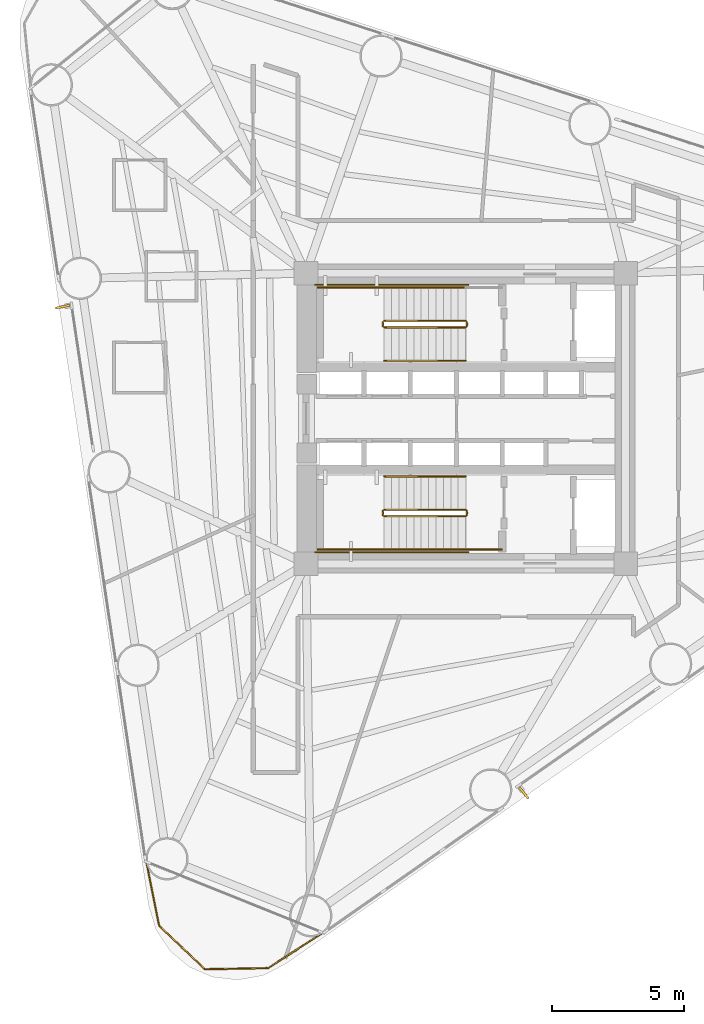
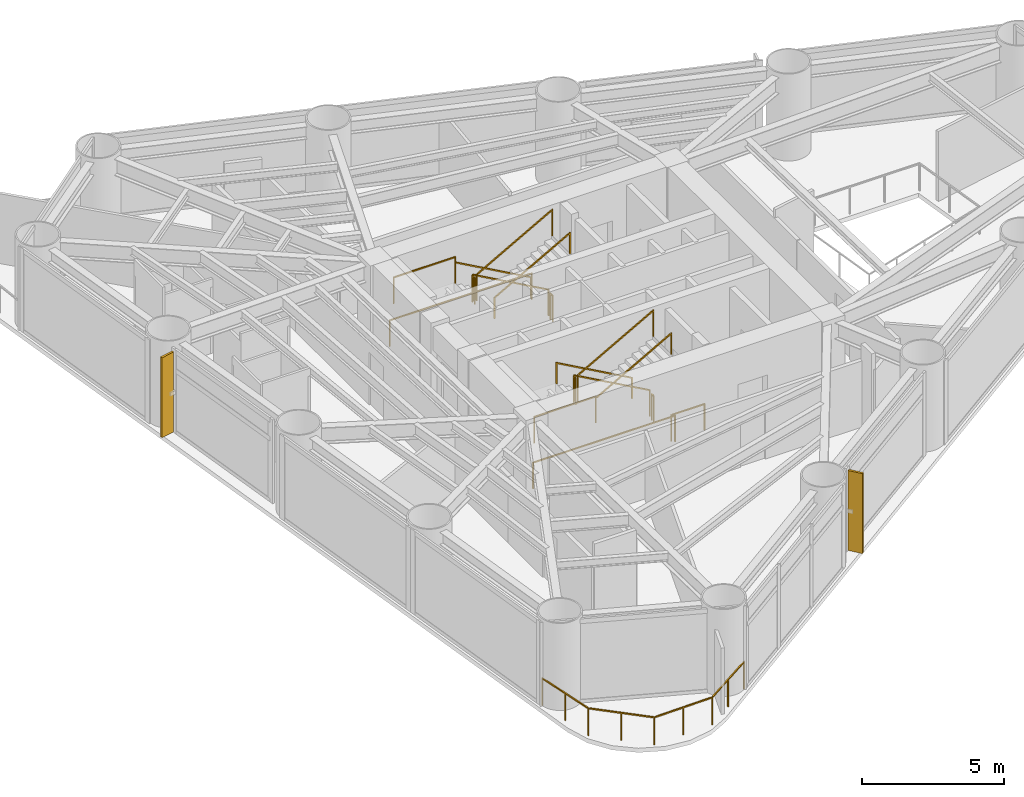
# One storey, part 8 of 9: 18 railings, 2 shading devices.
"""IFC4 building model written with IfcOpenShell, lengths in metres."""

from ifc_helpers import new_model, si_unit, direction, frame, origin, origin_2d, place, context, subcontext, project, spatial, rectangle, extrude, source, transform, mapped, material, material_profile, profile_set, type_object, element, save


model = new_model("IFC4")

# Units and contexts
model_context = context("Model", 3, precision=1e-05, world=origin(), true_north=direction((0.0, 1.0)))
body_context = subcontext(model_context, "Body", "Model", "MODEL_VIEW")
ifc_project = project(units=[si_unit("LENGTHUNIT", "METRE"), si_unit("AREAUNIT", "SQUARE_METRE"), si_unit("VOLUMEUNIT", "CUBIC_METRE"), si_unit("PLANEANGLEUNIT", "RADIAN"), si_unit("MASSUNIT", "GRAM", prefix="KILO")], contexts=[model_context])

# Site, building, storey
site_placement = place(None, origin())
site = spatial("IfcSite", under=ifc_project, at=site_placement, CompositionType="ELEMENT")
building_placement = place(site_placement, origin())
building = spatial("IfcBuilding", under=site, at=building_placement, Name="Yunling Apex Tower", CompositionType="ELEMENT")
storey_placement = place(building_placement, frame((0.0, 0.0, 62.300048828125)))
storey = spatial("IfcBuildingStorey", under=building, at=storey_placement, Name="L16", CompositionType="ELEMENT", Elevation=62.300048828125)

# Railings
ifc_material_1 = material(Name="Bronze anodised aluminium", Category="aluminium")
railing_type_1 = type_object("IfcRailingType", Name="RL-BAL-1200", PredefinedType="BALUSTRADE", material=ifc_material_1)
railing_1_placement = place(storey_placement, frame((-5.41552734375, -19.466796875, 0.0)))
element("IfcRailing", 1, at=railing_1_placement, inside=storey, type_object=railing_type_1, Name="RL-CRNSILL-L16-3", PredefinedType="BALUSTRADE", context=body_context, shape_type="SweptSolid", body=[
    extrude(rectangle(XDim=0.0439453125, YDim=0.0439453125, at=origin_2d()), origin(), (0.0, 0.0, 1.0), 1.199951171875),
    extrude(rectangle(XDim=0.0439453125, YDim=0.0439453125, at=origin_2d()), frame((-2.069091796875, -1.3349609375, 0.0)), (0.0, 0.0, 1.0), 1.199951171875),
    extrude(rectangle(XDim=0.050048828125, YDim=0.050048828125, at=origin_2d()), frame((-0.0322265625, -0.020751953125, 1.1748046875), z_axis=(-0.840284992051, -0.542144936464, 0.0), x_axis=(0.542144936464, -0.840284992051, 0.0)), (0.0, 0.0, 1.0), 2.3857421875),
    extrude(rectangle(XDim=0.0439453125, YDim=0.0439453125, at=origin_2d()), frame((-1.03466796875, -0.66748046875, 0.0)), (0.0, 0.0, 1.0), 1.14599609375),
    extrude(rectangle(XDim=0.0439453125, YDim=0.0439453125, at=origin_2d()), frame((-4.456787109375, -1.3779296875, 0.0)), (0.0, 0.0, 1.0), 1.199951171875),
    extrude(rectangle(XDim=0.050048828125, YDim=0.050048828125, at=origin_2d()), frame((-2.107421875, -1.335693359375, 1.1748046875), z_axis=(-0.999838112931, -0.017992996715, 0.0), x_axis=(0.017992996715, -0.999838112931, 0.0)), (0.0, 0.0, 1.0), 2.3115234375),
    extrude(rectangle(XDim=0.0439453125, YDim=0.0439453125, at=origin_2d()), frame((-3.262939453125, -1.3564453125, 0.0)), (0.0, 0.0, 1.0), 1.14599609375),
    extrude(rectangle(XDim=0.0439453125, YDim=0.0439453125, at=origin_2d()), frame((-6.1943359375, 0.271728515625, 0.0)), (0.0, 0.0, 1.0), 1.199951171875),
    extrude(rectangle(XDim=0.050048828125, YDim=0.050048828125, at=origin_2d()), frame((-4.484619140625, -1.3515625, 1.1748046875), z_axis=(-0.725210560755, 0.688527154562, 0.0), x_axis=(-0.688527154562, -0.725210560755, 0.0)), (0.0, 0.0, 1.0), 2.3193359375),
    extrude(rectangle(XDim=0.0439453125, YDim=0.0439453125, at=origin_2d()), frame((-5.32568359375, -0.55322265625, 0.0)), (0.0, 0.0, 1.0), 1.14599609375),
    extrude(rectangle(XDim=0.0439453125, YDim=0.0439453125, at=origin_2d()), frame((-6.6767578125, 2.685302734375, 0.0)), (0.0, 0.0, 1.0), 1.199951171875),
    extrude(rectangle(XDim=0.050048828125, YDim=0.050048828125, at=origin_2d()), frame((-6.201904296875, 0.309326171875, 1.1748046875), z_axis=(-0.196001682493, 0.980603559274, 0.0), x_axis=(-0.980603559274, -0.196001682493, 0.0)), (0.0, 0.0, 1.0), 2.384765625),
    extrude(rectangle(XDim=0.0439453125, YDim=0.0439453125, at=origin_2d()), frame((-6.435546875, 1.478515625, 0.0)), (0.0, 0.0, 1.0), 1.14599609375),
])
ifc_material_2 = material(Name="Steel Q355B", Category="steel")
railing_type_2 = type_object("IfcRailingType", Name="RL-GRD-1150", PredefinedType="GUARDRAIL", material=ifc_material_2)
railing_2_placement = place(storey_placement, frame((-0.010009765625, 3.699951171875, 0.15625)))
element("IfcRailing", 2, at=railing_2_placement, inside=storey, type_object=railing_type_2, Name="L16 ST-1 stair guard 1", PredefinedType="GUARDRAIL", context=body_context, shape_type="SweptSolid", body=[
    extrude(rectangle(XDim=0.0439453125, YDim=0.0439453125, at=origin_2d()), origin(), (0.0, 0.0, 1.0), 1.14990234375),
    extrude(rectangle(XDim=0.0439453125, YDim=0.0439453125, at=origin_2d()), frame((-3.080078125, 0.0, 1.71875)), (0.0, 0.0, 1.0), 1.14990234375),
    extrude(rectangle(XDim=0.050048828125, YDim=0.050048828125, at=origin_2d()), frame((-0.033447265625, 0.0, 1.1435546875), z_axis=(-0.873241540666, 0.0, 0.487287606713), x_axis=(0.0, -1.0, 0.0)), (0.0, 0.0, 1.0), 3.450439453125),
])
railing_3_placement = place(storey_placement, frame((-3.139892578125, 3.64990234375, 1.875)))
element("IfcRailing", 3, at=railing_3_placement, inside=storey, type_object=railing_type_2, Name="L16 ST-1 stair guard 2", PredefinedType="GUARDRAIL", context=body_context, shape_type="SweptSolid", body=[
    extrude(rectangle(XDim=0.0439453125, YDim=0.0439453125, at=origin_2d()), origin(), (0.0, 0.0, 1.0), 1.14990234375),
    extrude(rectangle(XDim=0.0439453125, YDim=0.0439453125, at=origin_2d()), frame((0.0, -0.14990234375, 0.0)), (0.0, 0.0, 1.0), 1.14990234375),
    extrude(rectangle(XDim=0.050048828125, YDim=0.050048828125, at=origin_2d()), frame((0.0, -0.038330078125, 1.125), z_axis=(0.0, -1.0, 0.0), x_axis=(1.0, 0.0, 0.0)), (0.0, 0.0, 1.0), 0.0732421875),
])
railing_4_placement = place(storey_placement, frame((-3.090087890625, 4.9599609375, 1.875)))
element("IfcRailing", 4, at=railing_4_placement, inside=storey, type_object=railing_type_2, Name="L16 ST-1 stair guard 3", PredefinedType="GUARDRAIL", context=body_context, shape_type="SweptSolid", body=[
    extrude(rectangle(XDim=0.0439453125, YDim=0.0439453125, at=origin_2d()), origin(), (0.0, 0.0, 1.0), 1.14990234375),
    extrude(rectangle(XDim=0.0439453125, YDim=0.0439453125, at=origin_2d()), frame((-2.510009765625, 0.0, 0.0)), (0.0, 0.0, 1.0), 1.14990234375),
    extrude(rectangle(XDim=0.050048828125, YDim=0.050048828125, at=origin_2d()), frame((-0.038330078125, 0.0, 1.125), z_axis=(-1.0, 0.0, 0.0), x_axis=(0.0, -1.0, 0.0)), (0.0, 0.0, 1.0), 2.433349609375),
])
railing_5_placement = place(storey_placement, frame((-3.090087890625, 3.449951171875, 2.03125)))
element("IfcRailing", 5, at=railing_5_placement, inside=storey, type_object=railing_type_2, Name="L16 ST-1 stair guard 4", PredefinedType="GUARDRAIL", context=body_context, shape_type="SweptSolid", body=[
    extrude(rectangle(XDim=0.0439453125, YDim=0.0439453125, at=origin_2d()), origin(), (0.0, 0.0, 1.0), 1.14990234375),
    extrude(rectangle(XDim=0.0439453125, YDim=0.0439453125, at=origin_2d()), frame((3.080078125, 0.0, 1.71875)), (0.0, 0.0, 1.0), 1.14990234375),
    extrude(rectangle(XDim=0.050048828125, YDim=0.050048828125, at=origin_2d()), frame((0.033447265625, 0.0, 1.1435546875), z_axis=(0.873241540666, 0.0, 0.487287606713), x_axis=(0.0, 1.0, 0.0)), (0.0, 0.0, 1.0), 3.450439453125),
])
railing_6_placement = place(storey_placement, frame((0.0400390625, 3.64990234375, 0.0)))
element("IfcRailing", 6, at=railing_6_placement, inside=storey, type_object=railing_type_2, Name="L16 ST-1 stair guard 5", PredefinedType="GUARDRAIL", context=body_context, shape_type="SweptSolid", body=[
    extrude(rectangle(XDim=0.0439453125, YDim=0.0439453125, at=origin_2d()), origin(), (0.0, 0.0, 1.0), 1.14990234375),
    extrude(rectangle(XDim=0.0439453125, YDim=0.0439453125, at=origin_2d()), frame((0.0, -0.14990234375, 0.0)), (0.0, 0.0, 1.0), 1.14990234375),
    extrude(rectangle(XDim=0.050048828125, YDim=0.050048828125, at=origin_2d()), frame((0.0, -0.038330078125, 1.125), z_axis=(0.0, -1.0, 0.0), x_axis=(1.0, 0.0, 0.0)), (0.0, 0.0, 1.0), 0.0732421875),
])
railing_7_placement = place(storey_placement, frame((0.090087890625, 5.06005859375, 0.0)))
element("IfcRailing", 7, at=railing_7_placement, inside=storey, type_object=railing_type_2, Name="L16 ST-1 stair guard 7", PredefinedType="GUARDRAIL", context=body_context, shape_type="SweptSolid", body=[
    extrude(rectangle(XDim=0.0439453125, YDim=0.0439453125, at=origin_2d()), origin(), (0.0, 0.0, 1.0), 1.14990234375),
    extrude(rectangle(XDim=0.0439453125, YDim=0.0439453125, at=origin_2d()), frame((-5.7900390625, 0.0, 0.0)), (0.0, 0.0, 1.0), 1.14990234375),
    extrude(rectangle(XDim=0.050048828125, YDim=0.050048828125, at=origin_2d()), frame((-0.038330078125, 0.0, 1.125), z_axis=(-1.0, 0.0, 0.0), x_axis=(0.0, -1.0, 0.0)), (0.0, 0.0, 1.0), 5.71337890625),
])
railing_8_placement = place(storey_placement, frame((-0.010009765625, -3.449951171875, 0.15625)))
element("IfcRailing", 8, at=railing_8_placement, inside=storey, type_object=railing_type_2, Name="L16 ST-2 stair guard 1", PredefinedType="GUARDRAIL", context=body_context, shape_type="SweptSolid", body=[
    extrude(rectangle(XDim=0.0439453125, YDim=0.0439453125, at=origin_2d()), origin(), (0.0, 0.0, 1.0), 1.14990234375),
    extrude(rectangle(XDim=0.0439453125, YDim=0.0439453125, at=origin_2d()), frame((-3.080078125, 0.0, 1.71875)), (0.0, 0.0, 1.0), 1.14990234375),
    extrude(rectangle(XDim=0.050048828125, YDim=0.050048828125, at=origin_2d()), frame((-0.033447265625, 0.0, 1.1435546875), z_axis=(-0.873241540666, 0.0, 0.487287606713), x_axis=(0.0, -1.0, 0.0)), (0.0, 0.0, 1.0), 3.450439453125),
])
railing_9_placement = place(storey_placement, frame((-3.139892578125, -3.5, 1.875)))
element("IfcRailing", 9, at=railing_9_placement, inside=storey, type_object=railing_type_2, Name="L16 ST-2 stair guard 2", PredefinedType="GUARDRAIL", context=body_context, shape_type="SweptSolid", body=[
    extrude(rectangle(XDim=0.0439453125, YDim=0.0439453125, at=origin_2d()), origin(), (0.0, 0.0, 1.0), 1.14990234375),
    extrude(rectangle(XDim=0.0439453125, YDim=0.0439453125, at=origin_2d()), frame((0.0, -0.14990234375, 0.0)), (0.0, 0.0, 1.0), 1.14990234375),
    extrude(rectangle(XDim=0.050048828125, YDim=0.050048828125, at=origin_2d()), frame((0.0, -0.038330078125, 1.125), z_axis=(0.0, -1.0, 0.0), x_axis=(1.0, 0.0, 0.0)), (0.0, 0.0, 1.0), 0.0732421875),
])
railing_10_placement = place(storey_placement, frame((-3.090087890625, -4.9599609375, 1.875)))
element("IfcRailing", 10, at=railing_10_placement, inside=storey, type_object=railing_type_2, Name="L16 ST-2 stair guard 3", PredefinedType="GUARDRAIL", context=body_context, shape_type="SweptSolid", body=[
    extrude(rectangle(XDim=0.0439453125, YDim=0.0439453125, at=origin_2d()), origin(), (0.0, 0.0, 1.0), 1.14990234375),
    extrude(rectangle(XDim=0.0439453125, YDim=0.0439453125, at=origin_2d()), frame((-2.510009765625, 0.0, 0.0)), (0.0, 0.0, 1.0), 1.14990234375),
    extrude(rectangle(XDim=0.050048828125, YDim=0.050048828125, at=origin_2d()), frame((-0.038330078125, 0.0, 1.125), z_axis=(-1.0, 0.0, 0.0), x_axis=(0.0, -1.0, 0.0)), (0.0, 0.0, 1.0), 2.433349609375),
])
railing_11_placement = place(storey_placement, frame((-3.090087890625, -3.699951171875, 2.03125)))
element("IfcRailing", 11, at=railing_11_placement, inside=storey, type_object=railing_type_2, Name="L16 ST-2 stair guard 4", PredefinedType="GUARDRAIL", context=body_context, shape_type="SweptSolid", body=[
    extrude(rectangle(XDim=0.0439453125, YDim=0.0439453125, at=origin_2d()), origin(), (0.0, 0.0, 1.0), 1.14990234375),
    extrude(rectangle(XDim=0.0439453125, YDim=0.0439453125, at=origin_2d()), frame((3.080078125, 0.0, 1.71875)), (0.0, 0.0, 1.0), 1.14990234375),
    extrude(rectangle(XDim=0.050048828125, YDim=0.050048828125, at=origin_2d()), frame((0.033447265625, 0.0, 1.1435546875), z_axis=(0.873241540666, 0.0, 0.487287606713), x_axis=(0.0, 1.0, 0.0)), (0.0, 0.0, 1.0), 3.450439453125),
])
railing_12_placement = place(storey_placement, frame((0.0400390625, -3.5, 0.0)))
element("IfcRailing", 12, at=railing_12_placement, inside=storey, type_object=railing_type_2, Name="L16 ST-2 stair guard 5", PredefinedType="GUARDRAIL", context=body_context, shape_type="SweptSolid", body=[
    extrude(rectangle(XDim=0.0439453125, YDim=0.0439453125, at=origin_2d()), origin(), (0.0, 0.0, 1.0), 1.14990234375),
    extrude(rectangle(XDim=0.0439453125, YDim=0.0439453125, at=origin_2d()), frame((0.0, -0.14990234375, 0.0)), (0.0, 0.0, 1.0), 1.14990234375),
    extrude(rectangle(XDim=0.050048828125, YDim=0.050048828125, at=origin_2d()), frame((0.0, -0.038330078125, 1.125), z_axis=(0.0, -1.0, 0.0), x_axis=(1.0, 0.0, 0.0)), (0.0, 0.0, 1.0), 0.0732421875),
])
railing_13_placement = place(storey_placement, frame((1.35009765625, -4.9599609375, 0.0)))
element("IfcRailing", 13, at=railing_13_placement, inside=storey, type_object=railing_type_2, Name="L16 ST-2 stair guard 6", PredefinedType="GUARDRAIL", context=body_context, shape_type="SweptSolid", body=[
    extrude(rectangle(XDim=0.0439453125, YDim=0.0439453125, at=origin_2d()), origin(), (0.0, 0.0, 1.0), 1.14990234375),
    extrude(rectangle(XDim=0.0439453125, YDim=0.0439453125, at=origin_2d()), frame((-1.360107421875, 0.0, 0.0)), (0.0, 0.0, 1.0), 1.14990234375),
    extrude(rectangle(XDim=0.050048828125, YDim=0.050048828125, at=origin_2d()), frame((-0.038330078125, 0.0, 1.125), z_axis=(-1.0, 0.0, 0.0), x_axis=(0.0, -1.0, 0.0)), (0.0, 0.0, 1.0), 1.283447265625),
])
railing_14_placement = place(storey_placement, frame((0.090087890625, -5.06005859375, 0.0)))
element("IfcRailing", 14, at=railing_14_placement, inside=storey, type_object=railing_type_2, Name="L16 ST-2 stair guard 7", PredefinedType="GUARDRAIL", context=body_context, shape_type="SweptSolid", body=[
    extrude(rectangle(XDim=0.0439453125, YDim=0.0439453125, at=origin_2d()), origin(), (0.0, 0.0, 1.0), 1.14990234375),
    extrude(rectangle(XDim=0.0439453125, YDim=0.0439453125, at=origin_2d()), frame((-5.7900390625, 0.0, 0.0)), (0.0, 0.0, 1.0), 1.14990234375),
    extrude(rectangle(XDim=0.050048828125, YDim=0.050048828125, at=origin_2d()), frame((-0.038330078125, 0.0, 1.125), z_axis=(-1.0, 0.0, 0.0), x_axis=(0.0, -1.0, 0.0)), (0.0, 0.0, 1.0), 5.71337890625),
])
ifc_material_3 = material(Name="Silver anodised aluminium", Category="aluminium")
railing_type_3 = type_object("IfcRailingType", Name="RL-HND-900", PredefinedType="HANDRAIL", material=ifc_material_3)
railing_15_placement = place(storey_placement, frame((-0.010009765625, 4.9599609375, 0.15625)))
element("IfcRailing", 15, at=railing_15_placement, inside=storey, type_object=railing_type_3, Name="L16 ST-1 stair handrail 1", PredefinedType="HANDRAIL", context=body_context, shape_type="SweptSolid", body=[
    extrude(rectangle(XDim=0.0439453125, YDim=0.0439453125, at=origin_2d()), origin(), (0.0, 0.0, 1.0), 0.919921875),
    extrude(rectangle(XDim=0.0439453125, YDim=0.0439453125, at=origin_2d()), frame((-3.080078125, 0.0, 1.71875)), (0.0, 0.0, 1.0), 0.919921875),
    extrude(rectangle(XDim=0.050048828125, YDim=0.050048828125, at=origin_2d()), frame((-0.033447265625, 0.0, 0.91357421875), z_axis=(-0.873241540666, 0.0, 0.487287606713), x_axis=(0.0, -1.0, 0.0)), (0.0, 0.0, 1.0), 3.450439453125),
])
railing_16_placement = place(storey_placement, frame((-3.090087890625, 2.18994140625, 2.03125)))
element("IfcRailing", 16, at=railing_16_placement, inside=storey, type_object=railing_type_3, Name="L16 ST-1 stair handrail 2", PredefinedType="HANDRAIL", context=body_context, shape_type="SweptSolid", body=[
    extrude(rectangle(XDim=0.0439453125, YDim=0.0439453125, at=origin_2d()), origin(), (0.0, 0.0, 1.0), 0.919921875),
    extrude(rectangle(XDim=0.0439453125, YDim=0.0439453125, at=origin_2d()), frame((3.080078125, 0.0, 1.71875)), (0.0, 0.0, 1.0), 0.919921875),
    extrude(rectangle(XDim=0.050048828125, YDim=0.050048828125, at=origin_2d()), frame((0.033447265625, 0.0, 0.91357421875), z_axis=(0.873241540666, 0.0, 0.487287606713), x_axis=(0.0, 1.0, 0.0)), (0.0, 0.0, 1.0), 3.450439453125),
])
railing_17_placement = place(storey_placement, frame((-0.010009765625, -2.18994140625, 0.15625)))
element("IfcRailing", 17, at=railing_17_placement, inside=storey, type_object=railing_type_3, Name="L16 ST-2 stair handrail 1", PredefinedType="HANDRAIL", context=body_context, shape_type="SweptSolid", body=[
    extrude(rectangle(XDim=0.0439453125, YDim=0.0439453125, at=origin_2d()), origin(), (0.0, 0.0, 1.0), 0.919921875),
    extrude(rectangle(XDim=0.0439453125, YDim=0.0439453125, at=origin_2d()), frame((-3.080078125, 0.0, 1.71875)), (0.0, 0.0, 1.0), 0.919921875),
    extrude(rectangle(XDim=0.050048828125, YDim=0.050048828125, at=origin_2d()), frame((-0.033447265625, 0.0, 0.91357421875), z_axis=(-0.873241540666, 0.0, 0.487287606713), x_axis=(0.0, -1.0, 0.0)), (0.0, 0.0, 1.0), 3.450439453125),
])
railing_18_placement = place(storey_placement, frame((-3.090087890625, -4.9599609375, 2.03125)))
element("IfcRailing", 18, at=railing_18_placement, inside=storey, type_object=railing_type_3, Name="L16 ST-2 stair handrail 2", PredefinedType="HANDRAIL", context=body_context, shape_type="SweptSolid", body=[
    extrude(rectangle(XDim=0.0439453125, YDim=0.0439453125, at=origin_2d()), origin(), (0.0, 0.0, 1.0), 0.919921875),
    extrude(rectangle(XDim=0.0439453125, YDim=0.0439453125, at=origin_2d()), frame((3.080078125, 0.0, 1.71875)), (0.0, 0.0, 1.0), 0.919921875),
    extrude(rectangle(XDim=0.050048828125, YDim=0.050048828125, at=origin_2d()), frame((0.033447265625, 0.0, 0.91357421875), z_axis=(0.873241540666, 0.0, 0.487287606713), x_axis=(0.0, 1.0, 0.0)), (0.0, 0.0, 1.0), 3.450439453125),
])

# Shading devices
ifc_material_profile = material_profile(ifc_material_1, rectangle(XDim=0.0849609375, YDim=0.550048828125, at=origin_2d()))
ifc_profile_set = profile_set([ifc_material_profile], Name="Bronze anodised aluminium")
shading_device_type = type_object("IfcShadingDeviceType", Name="FN-BRZ-3", PredefinedType="USERDEFINED", material=ifc_profile_set)
shared_shape = source(origin(), body_context, "Body", "SweptSolid", [
    extrude(rectangle(XDim=0.0849609375, YDim=0.550048828125, at=origin_2d()), origin(), (0.0, 0.0, 1.0), 3.445068359375),
])
for number, where, z_axis, x_axis, name in (
    (19, (2.197509765625, -14.17431640625, 0.06005859375), (0.0, 0.0, 1.0), (0.780321270022, 0.625378857614, 0.0), "CW-L16-F1-B2-FIN-01"),
    (20, (-15.25830078125, 4.233642578125, 0.06005859375), (0.0, 0.0, 1.0), (0.212177672156, -0.977231106463, 0.0), "CW-L16-F3-B2-FIN-01"),
):
    element("IfcShadingDevice", number, at=place(storey_placement, frame(where, z_axis=z_axis, x_axis=x_axis)), inside=storey, type_object=shading_device_type, Name=name, ObjectType="FIN", PredefinedType="USERDEFINED", context=body_context, shape_type="MappedRepresentation", body=[
        mapped(shared_shape, transform((0.0, 0.0, 0.0), scale=1.0)),
    ])

save(model, "model.ifc")
